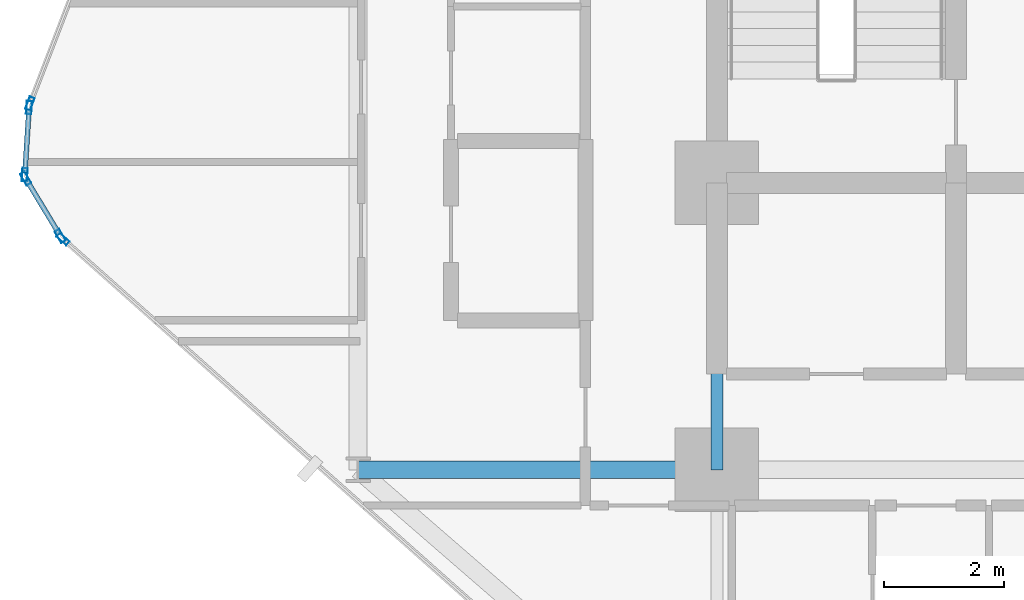
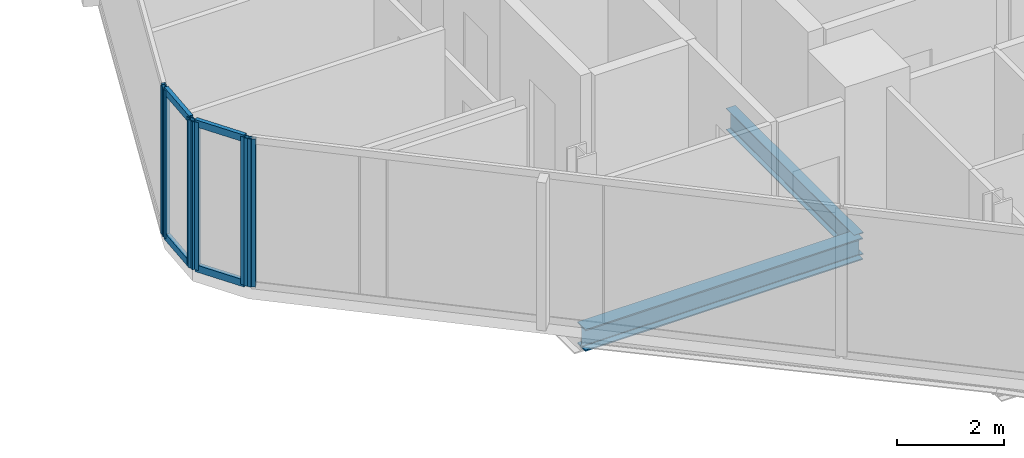
# One storey, part 5 of 34: 10 members, 2 beams, 4 elements without a shape of their own.
"""IFC4 building model written with IfcOpenShell, lengths in metres."""

import ifcopenshell
import ifcopenshell.guid

model = None  # the IFC model being written
_history = None  # IfcOwnerHistory: only IFC2X3 demands one
_inside = {}  # id of a spatial element -> (the spatial element, [elements in it])
_under = {}  # id of a project, library or spatial element -> (it, [spatial elements below it])
_declared = {}  # id of a project -> (the project, [libraries it declares])
_typed = {}  # id of a type object -> (the type object, [elements of that type])
_made_of = {}  # id of a material, layer set ... -> (it, [elements and type objects made of it])


def new_model(schema):
    """Start an empty IFC model of exactly this schema.

    Asked for "IFC4X3", IfcOpenShell would pick the latest addendum, in which some entities
    have other attributes; the version numbers below select the first issue.
    IFC2X3 requires an IfcOwnerHistory on every rooted entity: one is made here for all.
    """
    global model, _history
    if schema == "IFC4X3":
        model = ifcopenshell.file(schema_version=(4, 3, 0, 0))
    else:
        model = ifcopenshell.file(schema=schema)
    _inside.clear()
    _under.clear()
    _declared.clear()
    _typed.clear()
    _made_of.clear()
    _history = None
    if model.schema == "IFC2X3":
        org = make("IfcOrganization", Name="unknown")
        user = make(
            "IfcPersonAndOrganization",
            ThePerson=make("IfcPerson", FamilyName="unknown"),
            TheOrganization=org,
        )
        app = make(
            "IfcApplication",
            ApplicationDeveloper=org,
            Version="unknown",
            ApplicationFullName="unknown",
            ApplicationIdentifier="unknown",
        )
        _history = make(
            "IfcOwnerHistory",
            OwningUser=user,
            OwningApplication=app,
            ChangeAction="ADDED",
            CreationDate=0,
        )
    return model


def make(cls, **values):
    """One entity of the class cls with the attributes given. An attribute that is None is left unset."""
    return model.create_entity(
        cls, **{name: value for name, value in values.items() if value is not None}
    )


def rooted(cls, **values):
    """An entity with a GlobalId (a new one), such as an element, a storey or a relation."""
    return make(cls, GlobalId=ifcopenshell.guid.new(), OwnerHistory=_history, **values)


def si_unit(unit_type, name, prefix=None):
    """IfcSIUnit, for example si_unit("LENGTHUNIT", "METRE", prefix="MILLI")."""
    return make("IfcSIUnit", UnitType=unit_type, Prefix=prefix, Name=name)


def assignment(units):
    """IfcUnitAssignment: the units of a project."""
    return None if units is None else make("IfcUnitAssignment", Units=units)


def point(xyz):
    """IfcCartesianPoint."""
    return None if xyz is None else make("IfcCartesianPoint", Coordinates=xyz)


def direction(xyz):
    """IfcDirection."""
    return None if xyz is None else make("IfcDirection", DirectionRatios=xyz)


def frame(location, z_axis=None, x_axis=None):
    """IfcAxis2Placement3D, a coordinate frame: its origin and axes. An axis left out is left unset."""
    return make(
        "IfcAxis2Placement3D",
        Location=point(location),
        Axis=direction(z_axis),
        RefDirection=direction(x_axis),
    )


def frame_2d(location, x_axis=None):
    """IfcAxis2Placement2D, a coordinate frame in the plane: its origin and x axis."""
    return make(
        "IfcAxis2Placement2D", Location=point(location), RefDirection=direction(x_axis)
    )


def origin():
    """The frame at (0, 0, 0) with its axes left unset."""
    return frame((0.0, 0.0, 0.0))


def origin_2d():
    """The frame at (0, 0) in the plane with its x axis left unset."""
    return frame_2d((0.0, 0.0))


def place(relative_to, where):
    """IfcLocalPlacement: puts the frame where relative to a parent placement (None: the world)."""
    return make(
        "IfcLocalPlacement", PlacementRelTo=relative_to, RelativePlacement=where
    )


def context(
    kind, dimensions, precision=None, world=None, true_north=None, identifier=None
):
    """IfcGeometricRepresentationContext, for example the 3D "Model" context."""
    return make(
        "IfcGeometricRepresentationContext",
        ContextIdentifier=identifier,
        ContextType=kind,
        CoordinateSpaceDimension=dimensions,
        Precision=precision,
        WorldCoordinateSystem=world,
        TrueNorth=true_north,
    )


def subcontext(parent, identifier, kind, view, scale=None):
    """IfcGeometricRepresentationSubContext, for example "Body" below "Model"."""
    return make(
        "IfcGeometricRepresentationSubContext",
        ContextIdentifier=identifier,
        ContextType=kind,
        ParentContext=parent,
        TargetScale=scale,
        TargetView=view,
    )


def project(units=None, contexts=None):
    """IfcProject with its units and contexts."""
    return rooted(
        "IfcProject",
        Name="project",
        RepresentationContexts=contexts,
        UnitsInContext=assignment(units),
    )


def spatial(cls, under=None, at=None, **own):
    """A site, building, storey or space (cls), placed at a placement, below another one or the project."""
    s = rooted(cls, ObjectPlacement=at, **own)
    if under is not None:
        _under.setdefault(under.id(), (under, []))[1].append(s)
    return s


def profile(cls, at=None, kind="AREA", **sizes):
    """A parametric profile (cls). Its sizes go by their IFC names, for example OverallWidth=200.0."""
    return make(cls, ProfileType=kind, Position=at, **sizes)


def hollow_rectangle(**sizes):
    """IfcRectangleHollowProfileDef."""
    return profile("IfcRectangleHollowProfileDef", **sizes)


def i_section(**sizes):
    """IfcIShapeProfileDef."""
    return profile("IfcIShapeProfileDef", **sizes)


def extrude(swept, where, along, depth):
    """IfcExtrudedAreaSolid: the profile swept, set in the frame where, extruded along a direction by depth."""
    return make(
        "IfcExtrudedAreaSolid",
        SweptArea=swept,
        Position=where,
        ExtrudedDirection=direction(along),
        Depth=depth,
    )


def shape(context_of_items, identifier, shape_type, items):
    """IfcShapeRepresentation: the items that make up one representation, for example the "Body"."""
    return make(
        "IfcShapeRepresentation",
        ContextOfItems=context_of_items,
        RepresentationIdentifier=identifier,
        RepresentationType=shape_type,
        Items=items,
    )


def material(Name=None, Category=None):
    """IfcMaterial."""
    return make("IfcMaterial", Name=Name, Category=Category)


def layer(
    of_material, thickness, ventilated=None, Name=None, Category=None, Priority=None
):
    """IfcMaterialLayer: one layer of a wall or slab, of a material (None: an air gap)."""
    return make(
        "IfcMaterialLayer",
        Material=of_material,
        LayerThickness=thickness,
        IsVentilated=ventilated,
        Name=Name,
        Category=Category,
        Priority=Priority,
    )


def layer_set(layers, Name=None):
    """IfcMaterialLayerSet."""
    return make("IfcMaterialLayerSet", MaterialLayers=layers, LayerSetName=Name)


def material_profile(
    of_material, cross_section, Name=None, Category=None, Priority=None
):
    """IfcMaterialProfile: a cross section and its material."""
    return make(
        "IfcMaterialProfile",
        Name=Name,
        Material=of_material,
        Profile=cross_section,
        Priority=Priority,
        Category=Category,
    )


def profile_set(profiles, Name=None, composite=None):
    """IfcMaterialProfileSet."""
    return make(
        "IfcMaterialProfileSet",
        Name=Name,
        MaterialProfiles=profiles,
        CompositeProfile=composite,
    )


def made_of(thing, what):
    """Note that an element or type object is made of a material, layer set ...; save() writes the relation."""
    if what is not None:
        _made_of.setdefault(what.id(), (what, []))[1].append(thing)
    return thing


def type_object(cls, material=None, **own):
    """A type object (cls), such as IfcWallType, which elements share."""
    return made_of(rooted(cls, **own), material)


def element(
    cls,
    number,
    at=None,
    inside=None,
    cuts=None,
    type_object=None,
    material=None,
    context=None,
    identifier="Body",
    shape_type=None,
    held_by="IfcProductDefinitionShape",
    body=None,
    shapes=None,
    **own,
):
    """One element of the class cls, such as IfcWall. Its Tag is "e" and its number.

    at: its placement. inside: the storey or other place that contains it. cuts: it is an
    opening in that element (IfcRelVoidsElement). A single representation is given by context,
    identifier, shape_type and body (its items); several are given by shapes. held_by: the class
    of the entity that holds the representations. save() writes the other relations.
    """
    e = rooted(cls, Tag="e%d" % number, ObjectPlacement=at, **own)
    if body is not None:
        shapes = [shape(context, identifier, shape_type, body)]
    if shapes is not None:
        e.Representation = make(held_by, Representations=shapes)
    if inside is not None:
        _inside.setdefault(inside.id(), (inside, []))[1].append(e)
    if cuts is not None:
        rooted(
            "IfcRelVoidsElement", RelatingBuildingElement=cuts, RelatedOpeningElement=e
        )
    if type_object is not None:
        _typed.setdefault(type_object.id(), (type_object, []))[1].append(e)
    return made_of(e, material)


def aggregate(whole, parts):
    """IfcRelAggregates: a whole, such as a stair, and the parts it consists of."""
    return rooted("IfcRelAggregates", RelatingObject=whole, RelatedObjects=parts)


def save(model, path):
    """Write the relations noted so far, then the file.

    IfcRelAggregates (storeys below a building ...), IfcRelContainedInSpatialStructure (elements
    in a storey), IfcRelDefinesByType, IfcRelAssociatesMaterial and IfcRelDeclares: one each for
    every whole, place, type object, material and project.
    """
    for whole, parts in _under.values():
        aggregate(whole, parts)
    for where, things in _inside.values():
        rooted(
            "IfcRelContainedInSpatialStructure",
            RelatedElements=things,
            RelatingStructure=where,
        )
    for kind, things in _typed.values():
        rooted("IfcRelDefinesByType", RelatedObjects=things, RelatingType=kind)
    for what, things in _made_of.values():
        rooted("IfcRelAssociatesMaterial", RelatedObjects=things, RelatingMaterial=what)
    for by, libraries in _declared.values():
        rooted("IfcRelDeclares", RelatingContext=by, RelatedDefinitions=libraries)
    model.write(path)


model = new_model("IFC4")

# Units and contexts
model_context = context("Model", 3, precision=1e-05, world=origin(), true_north=direction((0.0, 1.0)))
body_context = subcontext(model_context, "Body", "Model", "MODEL_VIEW")
ifc_project = project(units=[si_unit("LENGTHUNIT", "METRE"), si_unit("AREAUNIT", "SQUARE_METRE"), si_unit("VOLUMEUNIT", "CUBIC_METRE"), si_unit("PLANEANGLEUNIT", "RADIAN"), si_unit("MASSUNIT", "GRAM", prefix="KILO")], contexts=[model_context])

# Site, building, storey
site_placement = place(None, origin())
site = spatial("IfcSite", under=ifc_project, at=site_placement, CompositionType="ELEMENT")
building_placement = place(site_placement, origin())
building = spatial("IfcBuilding", under=site, at=building_placement, Name="Keshet Zoharim Tower", CompositionType="ELEMENT")
storey_placement = place(building_placement, frame((0.0, 0.0, 31.39990234375)))
storey = spatial("IfcBuildingStorey", under=building, at=storey_placement, Name="L06", CompositionType="ELEMENT", Elevation=31.39990234375)

# Beams
ifc_material_1 = material(Name="Steel S355", Category="steel")
ifc_material_profile_1 = material_profile(ifc_material_1, i_section(OverallWidth=0.199951171875, OverallDepth=0.5, WebThickness=0.01025390625, FlangeThickness=0.01611328125, FilletRadius=0.02099609375, at=origin_2d()), Name="IPE500")
ifc_profile_set_1 = profile_set([ifc_material_profile_1], Name="Steel S355")
beam_type_1 = type_object("IfcBeamType", Name="BM-PRI-IP500", PredefinedType="BEAM", material=ifc_profile_set_1)
beam_1_placement = place(storey_placement, frame((15.0, 17.89990234375, -0.56494140625), z_axis=(0.0, 1.0, 0.0), x_axis=(-1.0, 0.0, 0.0)))
element("IfcBeam", 1, at=beam_1_placement, inside=storey, type_object=beam_type_1, Name="L06 Primary Girder Y-003", PredefinedType="BEAM", context=body_context, shape_type="SweptSolid", body=[
    extrude(i_section(OverallWidth=0.199951171875, OverallDepth=0.5, WebThickness=0.01025390625, FlangeThickness=0.01611328125, FilletRadius=0.02099609375, at=origin_2d()), origin(), (0.0, 0.0, 1.0), 4.800048828125),
])
ifc_material_profile_2 = material_profile(ifc_material_1, i_section(OverallWidth=0.300048828125, OverallDepth=0.5, WebThickness=0.014404296875, FlangeThickness=0.028076171875, FilletRadius=0.027099609375, at=origin_2d()), Name="HEB500")
ifc_profile_set_2 = profile_set([ifc_material_profile_2], Name="Steel S355")
beam_type_2 = type_object("IfcBeamType", Name="BM-WEB-HB500", PredefinedType="BEAM", material=ifc_profile_set_2)
beam_2_placement = place(storey_placement, frame((9.0, 17.89990234375, -0.56494140625), z_axis=(1.0, 0.0, 0.0), x_axis=(0.0, 1.0, 0.0)))
element("IfcBeam", 2, at=beam_2_placement, inside=storey, type_object=beam_type_2, Name="L06 Primary Girder X-015", PredefinedType="BEAM", context=body_context, shape_type="SweptSolid", body=[
    extrude(i_section(OverallWidth=0.300048828125, OverallDepth=0.5, WebThickness=0.014404296875, FlangeThickness=0.028076171875, FilletRadius=0.027099609375, at=origin_2d()), origin(), (0.0, 0.0, 1.0), 6.0),
])

# Curtain wall, member
ifc_material_2 = material(Name="Aluminium 6063-T6", Category="aluminium")
ifc_layer = layer(ifc_material_2, 0.179931640625)
ifc_layer_set = layer_set([ifc_layer], Name="Aluminium 6063-T6")
curtain_wall_type = type_object("IfcCurtainWallType", Name="CW-SYS-01", PredefinedType="NOTDEFINED", material=ifc_layer_set)
curtain_wall_1_placement = place(storey_placement, origin())
curtain_wall_1 = element("IfcCurtainWall", 3, at=curtain_wall_1_placement, inside=storey, type_object=curtain_wall_type, Name="L06 Unitised Curtain Wall 01", PredefinedType="NOTDEFINED")
ifc_material_profile_3 = material_profile(ifc_material_2, hollow_rectangle(XDim=0.090087890625, YDim=0.219970703125, WallThickness=0.0048828125, at=origin_2d()), Name="MUL-90x220")
ifc_profile_set_3 = profile_set([ifc_material_profile_3], Name="Aluminium 6063-T6")
member_type_1 = type_object("IfcMemberType", Name="CWM-M22", PredefinedType="MULLION", material=ifc_profile_set_3)
member_1_placement = place(storey_placement, frame((4.061279296875, 21.7568359375, 0.0), z_axis=(0.0, 0.0, 1.0), x_axis=(-0.664363838836, -0.747409318679, 0.0)))
member_1 = element("IfcMember", 4, at=member_1_placement, type_object=member_type_1, Name="CW-01 mullion 3", PredefinedType="MULLION", context=body_context, shape_type="SweptSolid", body=[
    extrude(hollow_rectangle(XDim=0.090087890625, YDim=0.219970703125, WallThickness=0.0048828125, at=origin_2d()), origin(), (0.0, 0.0, 1.0), 3.385009765625),
])
aggregate(curtain_wall_1, [member_1])

# Curtain wall, members
curtain_wall_2_placement = place(storey_placement, origin())
curtain_wall_2 = element("IfcCurtainWall", 5, at=curtain_wall_2_placement, inside=storey, type_object=curtain_wall_type, Name="L06 Unitised Curtain Wall 02", PredefinedType="NOTDEFINED")
member_2_placement = place(storey_placement, frame((4.016845703125, 21.81005859375, 0.0), z_axis=(0.0, 0.0, 1.0), x_axis=(-0.856826433805, -0.515604947933, 0.0)))
member_2 = element("IfcMember", 6, at=member_2_placement, type_object=member_type_1, Name="CW-01 mullion 1", PredefinedType="MULLION", context=body_context, shape_type="SweptSolid", body=[
    extrude(hollow_rectangle(XDim=0.090087890625, YDim=0.219970703125, WallThickness=0.0048828125, at=origin_2d()), origin(), (0.0, 0.0, 1.0), 3.385009765625),
])
member_3_placement = place(storey_placement, frame((3.43798828125, 22.77197265625, 0.0), z_axis=(0.0, 0.0, 1.0), x_axis=(-0.856826433805, -0.515604947933, 0.0)))
member_3 = element("IfcMember", 7, at=member_3_placement, type_object=member_type_1, Name="CW-01 mullion 2", PredefinedType="MULLION", context=body_context, shape_type="SweptSolid", body=[
    extrude(hollow_rectangle(XDim=0.090087890625, YDim=0.219970703125, WallThickness=0.0048828125, at=origin_2d()), origin(), (0.0, 0.0, 1.0), 3.385009765625),
])

curtain_wall_3_placement = place(storey_placement, origin())
curtain_wall_3 = element("IfcCurtainWall", 8, at=curtain_wall_3_placement, inside=storey, type_object=curtain_wall_type, Name="L06 Unitised Curtain Wall 03", PredefinedType="NOTDEFINED")
member_4_placement = place(storey_placement, frame((3.42236328125, 22.8369140625, 0.0), z_axis=(0.0, 0.0, 1.0), x_axis=(-0.997916617186, 0.064516859374, 0.0)))
member_4 = element("IfcMember", 9, at=member_4_placement, type_object=member_type_1, Name="CW-01 mullion 1", PredefinedType="MULLION", context=body_context, shape_type="SweptSolid", body=[
    extrude(hollow_rectangle(XDim=0.090087890625, YDim=0.219970703125, WallThickness=0.0048828125, at=origin_2d()), origin(), (0.0, 0.0, 1.0), 3.385009765625),
])
member_5_placement = place(storey_placement, frame((3.49462890625, 23.9580078125, 0.0), z_axis=(0.0, 0.0, 1.0), x_axis=(-0.997916617186, 0.064516859374, 0.0)))
member_5 = element("IfcMember", 10, at=member_5_placement, type_object=member_type_1, Name="CW-01 mullion 2", PredefinedType="MULLION", context=body_context, shape_type="SweptSolid", body=[
    extrude(hollow_rectangle(XDim=0.090087890625, YDim=0.219970703125, WallThickness=0.0048828125, at=origin_2d()), origin(), (0.0, 0.0, 1.0), 3.385009765625),
])

# Curtain wall, member
curtain_wall_4_placement = place(storey_placement, origin())
curtain_wall_4 = element("IfcCurtainWall", 11, at=curtain_wall_4_placement, inside=storey, type_object=curtain_wall_type, Name="L06 Unitised Curtain Wall 04", PredefinedType="NOTDEFINED")
member_6_placement = place(storey_placement, frame((3.509521484375, 24.025634765625, 0.0), z_axis=(0.0, 0.0, 1.0), x_axis=(-0.933341404361, 0.358990003907, 0.0)))
member_6 = element("IfcMember", 12, at=member_6_placement, type_object=member_type_1, Name="CW-01 mullion 1", PredefinedType="MULLION", context=body_context, shape_type="SweptSolid", body=[
    extrude(hollow_rectangle(XDim=0.090087890625, YDim=0.219970703125, WallThickness=0.0048828125, at=origin_2d()), origin(), (0.0, 0.0, 1.0), 3.385009765625),
])
aggregate(curtain_wall_4, [member_6])

# Member
ifc_material_profile_4 = material_profile(ifc_material_2, hollow_rectangle(XDim=0.0849609375, YDim=0.159912109375, WallThickness=0.00439453125, at=origin_2d()), Name="TRN-85x160")
ifc_profile_set_4 = profile_set([ifc_material_profile_4], Name="Aluminium 6063-T6")
member_type_2 = type_object("IfcMemberType", Name="CWT-T16", PredefinedType="USERDEFINED", material=ifc_profile_set_4)
member_7_placement = place(storey_placement, frame((3.9990234375, 21.840087890625, 0.03515625), z_axis=(-0.515791194107, 0.856714330499, 0.0), x_axis=(-0.856714330499, -0.515791194107, 0.0)))
member_7 = element("IfcMember", 13, at=member_7_placement, type_object=member_type_2, Name="CW-01 transom 1.1", ObjectType="TRANSOM", PredefinedType="USERDEFINED", context=body_context, shape_type="SweptSolid", body=[
    extrude(hollow_rectangle(XDim=0.0849609375, YDim=0.159912109375, WallThickness=0.00439453125, at=origin_2d()), origin(), (0.0, 0.0, 1.0), 1.052734375),
])

member_8_placement = place(storey_placement, frame((3.9990234375, 21.840087890625, 3.35009765625), z_axis=(-0.515791194107, 0.856714330499, 0.0), x_axis=(-0.856714330499, -0.515791194107, 0.0)))
member_8 = element("IfcMember", 14, at=member_8_placement, type_object=member_type_2, Name="CW-01 transom 1.2", ObjectType="TRANSOM", PredefinedType="USERDEFINED", context=body_context, shape_type="SweptSolid", body=[
    extrude(hollow_rectangle(XDim=0.0849609375, YDim=0.159912109375, WallThickness=0.00439453125, at=origin_2d()), origin(), (0.0, 0.0, 1.0), 1.052734375),
])

aggregate(curtain_wall_2, [member_2, member_3, member_7, member_8])

member_9_placement = place(storey_placement, frame((3.424560546875, 22.871826171875, 0.03515625), z_axis=(0.064426947155, 0.997922426083, 0.0), x_axis=(-0.997922426083, 0.064426947155, 0.0)))
member_9 = element("IfcMember", 15, at=member_9_placement, type_object=member_type_2, Name="CW-01 transom 1.1", ObjectType="TRANSOM", PredefinedType="USERDEFINED", context=body_context, shape_type="SweptSolid", body=[
    extrude(hollow_rectangle(XDim=0.0849609375, YDim=0.159912109375, WallThickness=0.00439453125, at=origin_2d()), origin(), (0.0, 0.0, 1.0), 1.053466796875),
])

member_10_placement = place(storey_placement, frame((3.424560546875, 22.871826171875, 3.35009765625), z_axis=(0.064426947155, 0.997922426083, 0.0), x_axis=(-0.997922426083, 0.064426947155, 0.0)))
member_10 = element("IfcMember", 16, at=member_10_placement, type_object=member_type_2, Name="CW-01 transom 1.2", ObjectType="TRANSOM", PredefinedType="USERDEFINED", context=body_context, shape_type="SweptSolid", body=[
    extrude(hollow_rectangle(XDim=0.0849609375, YDim=0.159912109375, WallThickness=0.00439453125, at=origin_2d()), origin(), (0.0, 0.0, 1.0), 1.053466796875),
])

aggregate(curtain_wall_3, [member_4, member_5, member_9, member_10])

save(model, "model.ifc")
